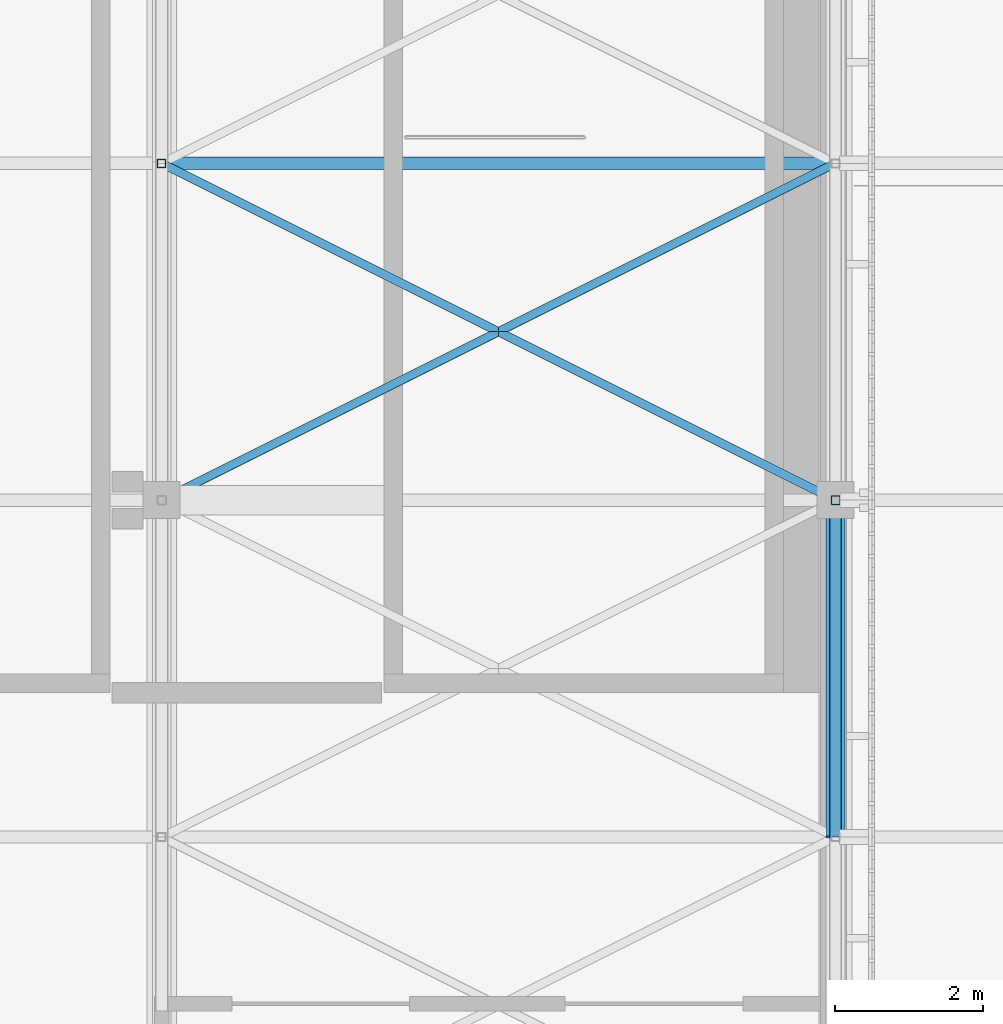
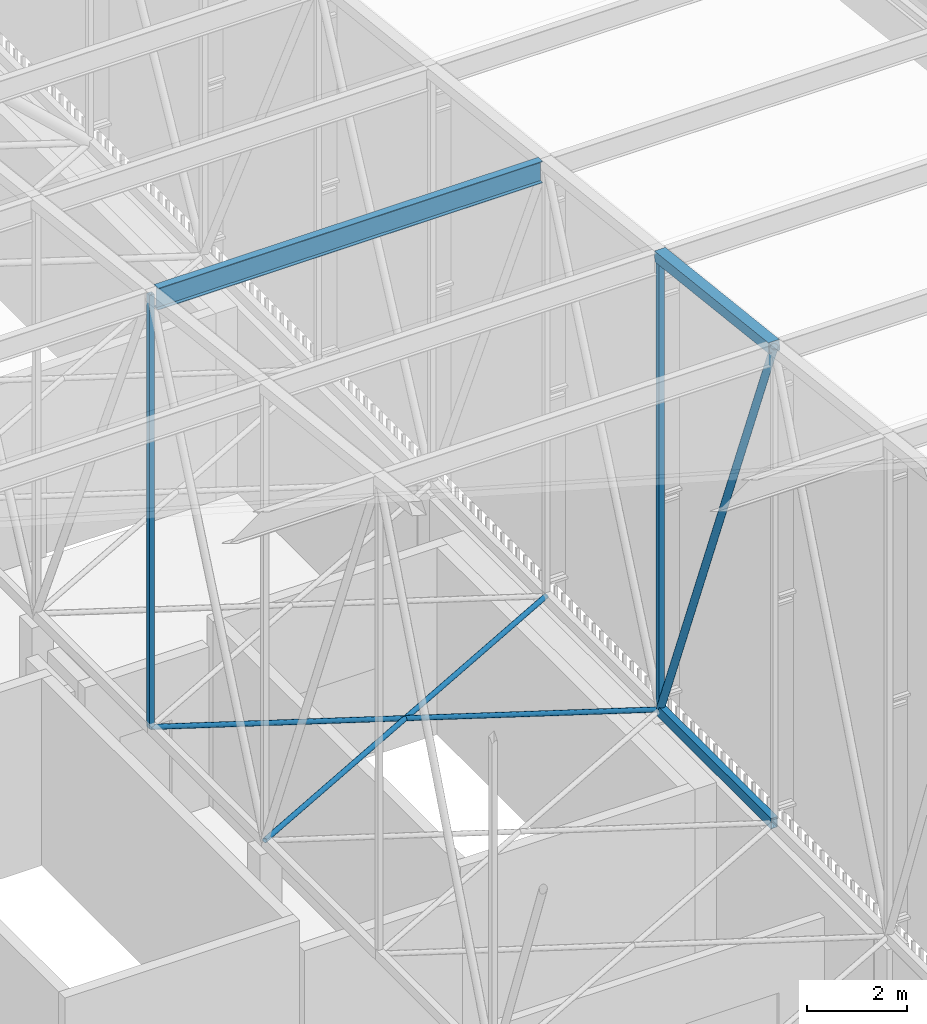
# One storey, part 389 of 500: 8 members.
"""IFC4 building model written with IfcOpenShell, lengths in metres."""

from ifc_helpers import new_model, si_unit, direction, frame, origin, origin_2d, place, context, subcontext, project, spatial, hollow_rectangle, hollow_circle, i_section, extrude, material, material_profile, profile_set, type_object, element, save


model = new_model("IFC4")

# Units and contexts
model_context = context("Model", 3, precision=1e-05, world=origin(), true_north=direction((0.0, 1.0)))
body_context = subcontext(model_context, "Body", "Model", "MODEL_VIEW")
ifc_project = project(units=[si_unit("LENGTHUNIT", "METRE"), si_unit("AREAUNIT", "SQUARE_METRE"), si_unit("VOLUMEUNIT", "CUBIC_METRE"), si_unit("PLANEANGLEUNIT", "RADIAN"), si_unit("MASSUNIT", "GRAM", prefix="KILO")], contexts=[model_context])

# Site, building, storey
site_placement = place(None, origin())
site = spatial("IfcSite", under=ifc_project, at=site_placement, CompositionType="ELEMENT")
building_placement = place(site_placement, origin())
building = spatial("IfcBuilding", under=site, at=building_placement, Name="Shirokan Park Arena", CompositionType="ELEMENT")
storey_placement = place(building_placement, frame((0.0, 0.0, 29.1201171875)))
storey = spatial("IfcBuildingStorey", under=building, at=storey_placement, Name="L06", CompositionType="ELEMENT", Elevation=29.1201171875)

# Members
ifc_material_1 = material(Name="Steel ASTM A500 Grade C", Category="steel")
ifc_material_profile_1 = material_profile(ifc_material_1, hollow_rectangle(XDim=0.152099609375, YDim=0.25390625, WallThickness=0.009521484375, at=origin_2d()), Name="HSS254X152.4X9.5")
ifc_profile_set_1 = profile_set([ifc_material_profile_1], Name="Steel ASTM A500 Grade C")
member_type_1 = type_object("IfcMemberType", Name="Bottom chord HSS254X152.4X9.5", PredefinedType="CHORD", material=ifc_profile_set_1)
member_1_placement = place(storey_placement, frame((145.60009765625, 77.35009765625, 4.677001953125), z_axis=(0.0, 1.0, 0.0), x_axis=(-1.0, 0.0, 0.0)))
element("IfcMember", 1, at=member_1_placement, inside=storey, type_object=member_type_1, Name="Truss T17 bottom chord 20", PredefinedType="CHORD", context=body_context, shape_type="SweptSolid", body=[
    extrude(hollow_rectangle(XDim=0.152099609375, YDim=0.25390625, WallThickness=0.009521484375, at=origin_2d()), origin(), (0.0, 0.0, 1.0), 4.5498046875),
])
ifc_material_profile_2 = material_profile(ifc_material_1, hollow_circle(Radius=0.056884765625, WallThickness=0.006103515625, at=origin_2d()), Name="HSS114.3X6")
ifc_profile_set_2 = profile_set([ifc_material_profile_2], Name="Steel ASTM A500 Grade C")
member_type_2 = type_object("IfcMemberType", Name="Plan bracing HSS114.3X6", PredefinedType="BRACE", material=ifc_profile_set_2)
for number, where, z_axis, x_axis, name in (
    (2, (136.5, 81.89990234375, 4.677001953125), (0.894427191, 0.4472135955, 0.0), (-0.4472135955, 0.894427191, 0.0), "Plan bracing bay 16 panel 21 A"),
    (3, (145.60009765625, 81.89990234375, 4.677001953125), (-0.894427191, 0.4472135955, 0.0), (-0.4472135955, -0.894427191, 0.0), "Plan bracing bay 16 panel 21 B"),
):
    element("IfcMember", number, at=place(storey_placement, frame(where, z_axis=z_axis, x_axis=x_axis)), inside=storey, type_object=member_type_2, Name=name, PredefinedType="BRACE", context=body_context, shape_type="SweptSolid", body=[
        extrude(hollow_circle(Radius=0.056884765625, WallThickness=0.006103515625, at=origin_2d()), origin(), (0.0, 0.0, 1.0), 10.17431640625),
    ])
ifc_material_2 = material(Name="Steel ASTM A992", Category="steel")
ifc_material_profile_3 = material_profile(ifc_material_2, i_section(OverallWidth=0.166015625, OverallDepth=0.528076171875, WebThickness=0.009765625, FlangeThickness=0.013671875, at=origin_2d()), Name="W530X74")
ifc_profile_set_3 = profile_set([ifc_material_profile_3], Name="Steel ASTM A992")
member_type_3 = type_object("IfcMemberType", Name="Purlin W530X74", PredefinedType="PURLIN", material=ifc_profile_set_3)
member_2_placement = place(storey_placement, frame((136.626953125, 86.449951171875, 15.0859375), z_axis=(1.0, 0.0, 0.0), x_axis=(0.0, 1.0, 0.0)))
element("IfcMember", 4, at=member_2_placement, inside=storey, type_object=member_type_3, Name="Purlin 22 bay 16", PredefinedType="PURLIN", context=body_context, shape_type="SweptSolid", body=[
    extrude(i_section(OverallWidth=0.166015625, OverallDepth=0.528076171875, WebThickness=0.009765625, FlangeThickness=0.013671875, at=origin_2d()), origin(), (0.0, 0.0, 1.0), 8.845947265625),
])
ifc_material_profile_4 = material_profile(ifc_material_1, hollow_rectangle(XDim=0.25390625, YDim=0.25390625, WallThickness=0.009521484375, at=origin_2d()), Name="HSS254X254X9.5")
ifc_profile_set_4 = profile_set([ifc_material_profile_4], Name="Steel ASTM A500 Grade C")
member_type_4 = type_object("IfcMemberType", Name="Top chord HSS254X254X9.5", PredefinedType="CHORD", material=ifc_profile_set_4)
member_3_placement = place(storey_placement, frame((145.60009765625, 77.35009765625, 16.262939453125), z_axis=(0.0, 0.993531641592, -0.11355561261), x_axis=(-1.0, 0.0, 0.0)))
element("IfcMember", 5, at=member_3_placement, inside=storey, type_object=member_type_4, Name="Truss T17 top chord 20", PredefinedType="CHORD", context=body_context, shape_type="SweptSolid", body=[
    extrude(hollow_rectangle(XDim=0.25390625, YDim=0.25390625, WallThickness=0.009521484375, at=origin_2d()), origin(), (0.0, 0.0, 1.0), 4.579345703125),
])
ifc_material_profile_5 = material_profile(ifc_material_1, hollow_circle(Radius=0.083984375, WallThickness=0.009521484375, at=origin_2d()), Name="HSS168.3X9.5")
ifc_profile_set_5 = profile_set([ifc_material_profile_5], Name="Steel ASTM A500 Grade C")
member_type_5 = type_object("IfcMemberType", Name="Truss diagonal HSS168.3X9.5", PredefinedType="BRACE", material=ifc_profile_set_5)
member_4_placement = place(storey_placement, frame((145.60009765625, 77.35009765625, 16.262939453125), z_axis=(0.0, 0.365526146051, -0.930801072493), x_axis=(-1.0, 0.0, 0.0)))
element("IfcMember", 6, at=member_4_placement, inside=storey, type_object=member_type_5, Name="Truss T17 diagonal 20", PredefinedType="BRACE", context=body_context, shape_type="SweptSolid", body=[
    extrude(hollow_circle(Radius=0.083984375, WallThickness=0.009521484375, at=origin_2d()), origin(), (0.0, 0.0, 1.0), 12.447265625),
])
ifc_material_profile_6 = material_profile(ifc_material_1, hollow_rectangle(XDim=0.114013671875, YDim=0.114013671875, WallThickness=0.00634765625, at=origin_2d()), Name="HSS114.3X114.3X6.4")
ifc_profile_set_6 = profile_set([ifc_material_profile_6], Name="Steel ASTM A500 Grade C")
member_type_6 = type_object("IfcMemberType", Name="Truss post HSS114.3X114.3X6.4", PredefinedType="POST", material=ifc_profile_set_6)
member_5_placement = place(storey_placement, frame((136.5, 86.449951171875, 4.677001953125), z_axis=(0.0, 0.0, 1.0), x_axis=(1.0, 0.0, 0.0)))
element("IfcMember", 7, at=member_5_placement, inside=storey, type_object=member_type_6, Name="Truss T16 post 22", PredefinedType="POST", context=body_context, shape_type="SweptSolid", body=[
    extrude(hollow_rectangle(XDim=0.114013671875, YDim=0.114013671875, WallThickness=0.00634765625, at=origin_2d()), origin(), (0.0, 0.0, 1.0), 10.5458984375),
])
ifc_material_profile_7 = material_profile(ifc_material_1, hollow_rectangle(XDim=0.126953125, YDim=0.126953125, WallThickness=0.0126953125, at=origin_2d()), Name="HSS127X127X12.7")
ifc_profile_set_7 = profile_set([ifc_material_profile_7], Name="Steel ASTM A500 Grade C")
member_type_7 = type_object("IfcMemberType", Name="Truss post HSS127X127X12.7", PredefinedType="POST", material=ifc_profile_set_7)
member_6_placement = place(storey_placement, frame((145.60009765625, 81.89990234375, 4.677001953125), z_axis=(0.0, 0.0, 1.0), x_axis=(1.0, 0.0, 0.0)))
element("IfcMember", 8, at=member_6_placement, inside=storey, type_object=member_type_7, Name="Truss T17 post 21", PredefinedType="POST", context=body_context, shape_type="SweptSolid", body=[
    extrude(hollow_rectangle(XDim=0.126953125, YDim=0.126953125, WallThickness=0.0126953125, at=origin_2d()), origin(), (0.0, 0.0, 1.0), 11.06591796875),
])

save(model, "model.ifc")
